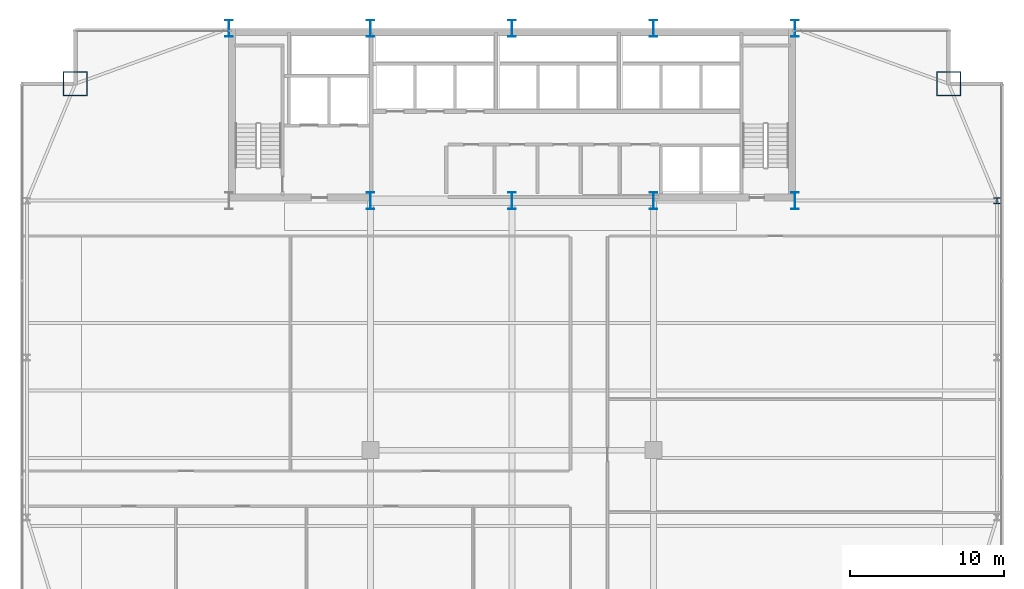
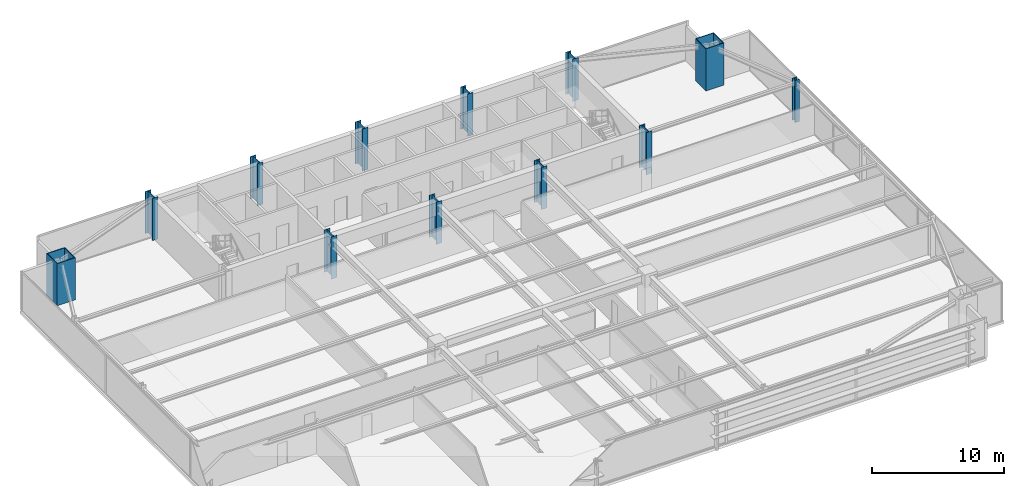
# One storey, part 2 of 30: 12 columns.
"""IFC4 building model written with IfcOpenShell, lengths in metres."""

from ifc_helpers import new_model, si_unit, direction, frame, origin, origin_2d, place, context, subcontext, project, spatial, hollow_rectangle, i_section, extrude, source, transform, mapped, material, material_profile, profile_set, type_object, type_shapes, element, save


model = new_model("IFC4")

# Units and contexts
model_context = context("Model", 3, precision=1e-05, world=origin(), true_north=direction((0.0, 1.0)))
body_context = subcontext(model_context, "Body", "Model", "MODEL_VIEW")
ifc_project = project(units=[si_unit("LENGTHUNIT", "METRE"), si_unit("AREAUNIT", "SQUARE_METRE"), si_unit("VOLUMEUNIT", "CUBIC_METRE"), si_unit("PLANEANGLEUNIT", "RADIAN"), si_unit("MASSUNIT", "GRAM", prefix="KILO")], contexts=[model_context])

# Site, building, storey
site_placement = place(None, origin())
site = spatial("IfcSite", under=ifc_project, at=site_placement, CompositionType="ELEMENT")
building_placement = place(site_placement, origin())
building = spatial("IfcBuilding", under=site, at=building_placement, Name="Varnel Quay Broadcast Tower", CompositionType="ELEMENT")
storey_placement = place(building_placement, frame((0.0, 0.0, 62.699951171875)))
storey = spatial("IfcBuildingStorey", under=building, at=storey_placement, Name="L14", CompositionType="ELEMENT", Elevation=62.699951171875)

# Columns
ifc_material_1 = material(Name="Structural Steel CSA G40.21 350WT", Category="steel")
ifc_material_profile_1 = material_profile(ifc_material_1, i_section(OverallWidth=0.5, OverallDepth=1.10009765625, WebThickness=0.01806640625, FlangeThickness=0.031982421875, FilletRadius=0.01806640625, at=origin_2d()), Name="WWF1100X418")
ifc_profile_set_1 = profile_set([ifc_material_profile_1], Name="Structural Steel CSA G40.21 350WT")
column_type_1 = type_object("IfcColumnType", Name="Col_WWF1100X418", PredefinedType="COLUMN", material=ifc_profile_set_1)
shared_shape_1 = source(origin(), body_context, "Body", "SweptSolid", [
    extrude(i_section(OverallWidth=0.5, OverallDepth=1.10009765625, WebThickness=0.01806640625, FlangeThickness=0.031982421875, FilletRadius=0.01806640625, at=origin_2d()), origin(), (0.0, 0.0, 1.0), 3.900146484375),
])
type_shapes(column_type_1, [shared_shape_1])
for number, where, z_axis, x_axis, name in (
    (1, (15.60009765625, 46.800048828125, 0.0), (0.0, 0.0, 1.0), (1.0, 0.0, 0.0), "L14 Column CC-N1"),
    (2, (24.800048828125, 35.60009765625, 0.0), (0.0, 0.0, 1.0), (1.0, 0.0, 0.0), "L14 Column CC-S2"),
    (3, (24.800048828125, 46.800048828125, 0.0), (0.0, 0.0, 1.0), (1.0, 0.0, 0.0), "L14 Column CC-N2"),
    (4, (34.0, 35.60009765625, 0.0), (0.0, 0.0, 1.0), (1.0, 0.0, 0.0), "L14 Column CC-S3"),
    (5, (34.0, 46.800048828125, 0.0), (0.0, 0.0, 1.0), (1.0, 0.0, 0.0), "L14 Column CC-N3"),
    (6, (43.199951171875, 35.60009765625, 0.0), (0.0, 0.0, 1.0), (1.0, 0.0, 0.0), "L14 Column CC-S4"),
    (7, (43.199951171875, 46.800048828125, 0.0), (0.0, 0.0, 1.0), (1.0, 0.0, 0.0), "L14 Column CC-N4"),
    (8, (52.39990234375, 35.60009765625, 0.0), (0.0, 0.0, 1.0), (1.0, 0.0, 0.0), "L14 Column CC-S5"),
    (9, (52.39990234375, 46.800048828125, 0.0), (0.0, 0.0, 1.0), (1.0, 0.0, 0.0), "L14 Column CC-N5"),
):
    element("IfcColumn", number, at=place(storey_placement, frame(where, z_axis=z_axis, x_axis=x_axis)), inside=storey, type_object=column_type_1, Name=name, PredefinedType="COLUMN", context=body_context, shape_type="MappedRepresentation", body=[
        mapped(shared_shape_1, transform((0.0, 0.0, 0.0), x_axis=(1.0, 0.0, 0.0), y_axis=(0.0, 1.0, 0.0), z_axis=(0.0, 0.0, 1.0), scale=1.0)),
    ])
ifc_material_profile_2 = material_profile(ifc_material_1, hollow_rectangle(XDim=1.60009765625, YDim=1.60009765625, WallThickness=0.06005859375, at=origin_2d()), Name="BOX1600X1600X60")
ifc_profile_set_2 = profile_set([ifc_material_profile_2], Name="Structural Steel CSA G40.21 350WT")
column_type_2 = type_object("IfcColumnType", Name="Col_BOX1600X1600X60", PredefinedType="COLUMN", material=ifc_profile_set_2)
shared_shape_2 = source(origin(), body_context, "Body", "SweptSolid", [
    extrude(hollow_rectangle(XDim=1.60009765625, YDim=1.60009765625, WallThickness=0.06005859375, at=origin_2d()), origin(), (0.0, 0.0, 1.0), 3.900146484375),
])
type_shapes(column_type_2, [shared_shape_2])
for number, where, z_axis, x_axis, name in (
    (10, (62.39990234375, 43.199951171875, 0.0), (0.0, 0.0, 1.0), (1.0, 0.0, 0.0), "L14 Column MC-NE"),
    (11, (5.60009765625, 43.199951171875, 0.0), (0.0, 0.0, 1.0), (1.0, 0.0, 0.0), "L14 Column MC-NW"),
):
    element("IfcColumn", number, at=place(storey_placement, frame(where, z_axis=z_axis, x_axis=x_axis)), inside=storey, type_object=column_type_2, Name=name, PredefinedType="COLUMN", context=body_context, shape_type="MappedRepresentation", body=[
        mapped(shared_shape_2, transform((0.0, 0.0, 0.0), x_axis=(1.0, 0.0, 0.0), y_axis=(0.0, 1.0, 0.0), z_axis=(0.0, 0.0, 1.0), scale=1.0)),
    ])
ifc_material_2 = material(Name="Structural Steel CSA G40.21 350W", Category="steel")
ifc_material_profile_3 = material_profile(ifc_material_2, i_section(OverallWidth=0.404052734375, OverallDepth=0.406982421875, WebThickness=0.027099609375, FlangeThickness=0.043701171875, FilletRadius=0.01806640625, at=origin_2d()), Name="W360X347")
ifc_profile_set_3 = profile_set([ifc_material_profile_3], Name="Structural Steel CSA G40.21 350W")
column_type_3 = type_object("IfcColumnType", Name="Col_W360X347", PredefinedType="COLUMN", material=ifc_profile_set_3)
shared_shape_3 = source(origin(), body_context, "Body", "SweptSolid", [
    extrude(i_section(OverallWidth=0.404052734375, OverallDepth=0.406982421875, WebThickness=0.027099609375, FlangeThickness=0.043701171875, FilletRadius=0.01806640625, at=origin_2d()), origin(), (0.0, 0.0, 1.0), 3.900146484375),
])
type_shapes(column_type_3, [shared_shape_3])
column_placement = place(storey_placement, frame((65.550048828125, 35.60009765625, 0.0), z_axis=(0.0, 0.0, 1.0), x_axis=(1.0, 0.0, 0.0)))
element("IfcColumn", 12, at=column_placement, inside=storey, type_object=column_type_3, Name="L14 Column TC-E3", PredefinedType="COLUMN", context=body_context, shape_type="MappedRepresentation", body=[
    mapped(shared_shape_3, transform((0.0, 0.0, 0.0), x_axis=(1.0, 0.0, 0.0), y_axis=(0.0, 1.0, 0.0), z_axis=(0.0, 0.0, 1.0), scale=1.0)),
])

save(model, "model.ifc")
